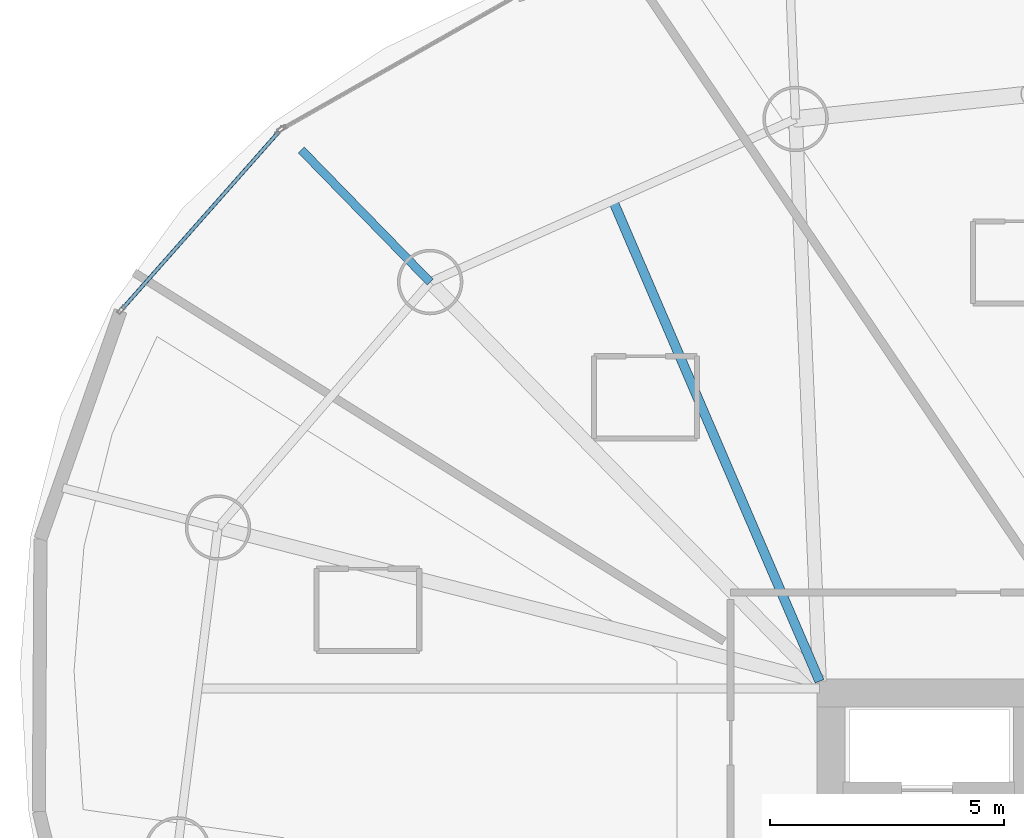
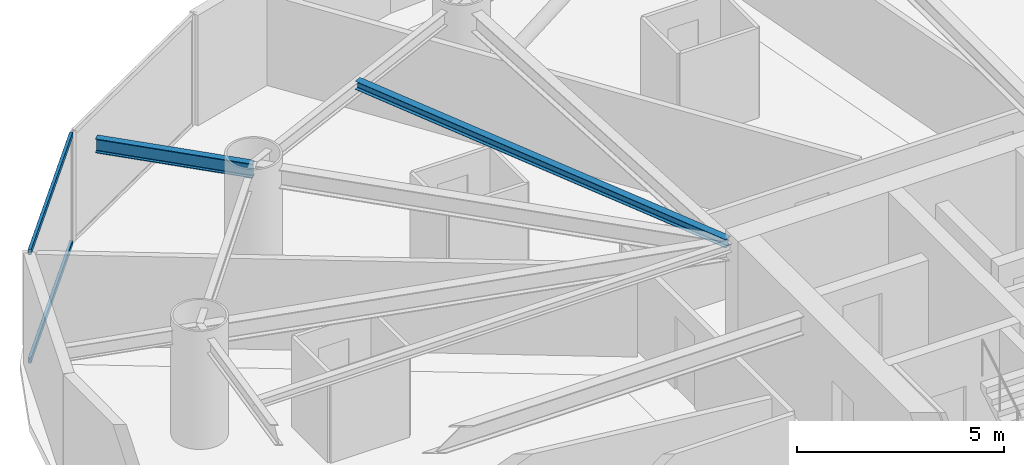
# One storey, part 9 of 20: 2 beams, 2 members, 1 element without a shape of its own.
"""IFC4 building model written with IfcOpenShell, lengths in metres."""

from ifc_helpers import new_model, si_unit, direction, frame, origin, origin_2d, place, context, subcontext, project, spatial, hollow_rectangle, i_section, extrude, material, layer, layer_set, material_profile, profile_set, type_object, element, aggregate, save


model = new_model("IFC4")

# Units and contexts
model_context = context("Model", 3, precision=1e-05, world=origin(), true_north=direction((0.0, 1.0)))
body_context = subcontext(model_context, "Body", "Model", "MODEL_VIEW")
ifc_project = project(units=[si_unit("LENGTHUNIT", "METRE"), si_unit("AREAUNIT", "SQUARE_METRE"), si_unit("VOLUMEUNIT", "CUBIC_METRE"), si_unit("PLANEANGLEUNIT", "RADIAN"), si_unit("MASSUNIT", "GRAM", prefix="KILO")], contexts=[model_context])

# Site, building, storey
site_placement = place(None, origin())
site = spatial("IfcSite", under=ifc_project, at=site_placement, CompositionType="ELEMENT")
building_placement = place(site_placement, origin())
building = spatial("IfcBuilding", under=site, at=building_placement, Name="Bramvorn Convention Spire", CompositionType="ELEMENT")
storey_placement = place(building_placement, frame((0.0, 0.0, 151.800048828125)))
storey = spatial("IfcBuildingStorey", under=building, at=storey_placement, Name="L38", CompositionType="ELEMENT", Elevation=151.800048828125)

# Beams
ifc_material_1 = material(Name="Steel CSA G40.21 Grade 350 (350W)", Category="steel")
ifc_material_profile_1 = material_profile(ifc_material_1, i_section(OverallWidth=0.201904296875, OverallDepth=0.2470703125, WebThickness=0.00732421875, FlangeThickness=0.010986328125, FilletRadius=0.011962890625, at=origin_2d()))
ifc_profile_set_1 = profile_set([ifc_material_profile_1], Name="Steel CSA G40.21 Grade 350 (350W) - W250X49")
beam_type_1 = type_object("IfcBeamType", Name="BM-W250X49", PredefinedType="JOIST", material=ifc_profile_set_1)
beam_1_placement = place(storey_placement, frame((26.75, 33.449951171875, 3.136474609375), z_axis=(-0.394937739893, 0.918707886985, 0.0), x_axis=(-0.918707886985, -0.394937739893, 0.0)))
element("IfcBeam", 1, at=beam_1_placement, inside=storey, type_object=beam_type_1, Name="L38 composite floor joist 07", PredefinedType="JOIST", context=body_context, shape_type="SweptSolid", body=[
    extrude(i_section(OverallWidth=0.201904296875, OverallDepth=0.2470703125, WebThickness=0.00732421875, FlangeThickness=0.010986328125, FilletRadius=0.011962890625, at=origin_2d()), origin(), (0.0, 0.0, 1.0), 11.19384765625),
])
ifc_material_profile_2 = material_profile(ifc_material_1, i_section(OverallWidth=0.180908203125, OverallDepth=0.4169921875, WebThickness=0.010986328125, FlangeThickness=0.018310546875, FilletRadius=0.01611328125, at=origin_2d()))
ifc_profile_set_2 = profile_set([ifc_material_profile_2], Name="Steel CSA G40.21 Grade 350 (350W) - W410X85")
beam_type_2 = type_object("IfcBeamType", Name="BM-W410X85", PredefinedType="JOIST", material=ifc_profile_set_2)
beam_2_placement = place(storey_placement, frame((18.420166015625, 41.9892578125, 3.0263671875), z_axis=(-0.698275189391, 0.715829420938, 0.0), x_axis=(-0.715829420938, -0.698275189391, 0.0)))
element("IfcBeam", 2, at=beam_2_placement, inside=storey, type_object=beam_type_2, Name="L38 Sky-Garden cantilever tip girder MC08", PredefinedType="JOIST", context=body_context, shape_type="SweptSolid", body=[
    extrude(i_section(OverallWidth=0.180908203125, OverallDepth=0.4169921875, WebThickness=0.010986328125, FlangeThickness=0.018310546875, FilletRadius=0.01611328125, at=origin_2d()), origin(), (0.0, 0.0, 1.0), 3.94970703125),
])

# Curtain wall, members
ifc_material_2 = material(Name="Anodised Bronze Unitised Curtain Wall", Category="aluminium")
ifc_layer = layer(ifc_material_2, 0.179931640625)
ifc_layer_set = layer_set([ifc_layer], Name="Anodised Bronze Unitised Curtain Wall - CW-HTL-FRIT")
curtain_wall_type = type_object("IfcCurtainWallType", Name="CW-HTL-FRIT", PredefinedType="USERDEFINED", material=ifc_layer_set)
curtain_wall_placement = place(storey_placement, origin())
curtain_wall = element("IfcCurtainWall", 3, at=curtain_wall_placement, inside=storey, type_object=curtain_wall_type, Name="L38 fritted glass curtain wall 12", ObjectType="UNITISED CURTAIN WALL", PredefinedType="USERDEFINED")
ifc_material_3 = material(Name="Anodised Bronze Aluminium 6063-T6", Category="aluminium")
ifc_material_profile_3 = material_profile(ifc_material_3, hollow_rectangle(XDim=0.080078125, YDim=0.159912109375, WallThickness=0.00390625, InnerFilletRadius=0.0009765625, OuterFilletRadius=0.00390625, at=origin_2d()))
ifc_profile_set_3 = profile_set([ifc_material_profile_3], Name="Anodised Bronze Aluminium 6063-T6 - CWT80X160")
member_type = type_object("IfcMemberType", Name="CW-TRN-150", PredefinedType="USERDEFINED", material=ifc_profile_set_3)
member_1_placement = place(storey_placement, frame((11.83642578125, 41.418212890625, 0.030029296875), z_axis=(0.662373753452, 0.749173551815, 0.0), x_axis=(-0.749173551815, 0.662373753452, 0.0)))
member_1 = element("IfcMember", 4, at=member_1_placement, type_object=member_type, Name="CW2 transom 1.1", ObjectType="TRANSOM", PredefinedType="USERDEFINED", context=body_context, shape_type="SweptSolid", body=[
    extrude(hollow_rectangle(XDim=0.080078125, YDim=0.159912109375, WallThickness=0.00390625, InnerFilletRadius=0.0009765625, OuterFilletRadius=0.00390625, at=origin_2d()), origin(), (0.0, 0.0, 1.0), 5.054443359375),
])
member_2_placement = place(storey_placement, frame((11.83642578125, 41.418212890625, 3.22998046875), z_axis=(0.662373753452, 0.749173551815, 0.0), x_axis=(-0.749173551815, 0.662373753452, 0.0)))
member_2 = element("IfcMember", 5, at=member_2_placement, type_object=member_type, Name="CW2 transom 1.2", ObjectType="TRANSOM", PredefinedType="USERDEFINED", context=body_context, shape_type="SweptSolid", body=[
    extrude(hollow_rectangle(XDim=0.080078125, YDim=0.159912109375, WallThickness=0.00390625, InnerFilletRadius=0.0009765625, OuterFilletRadius=0.00390625, at=origin_2d()), origin(), (0.0, 0.0, 1.0), 5.054443359375),
])
aggregate(curtain_wall, [member_1, member_2])

save(model, "model.ifc")
